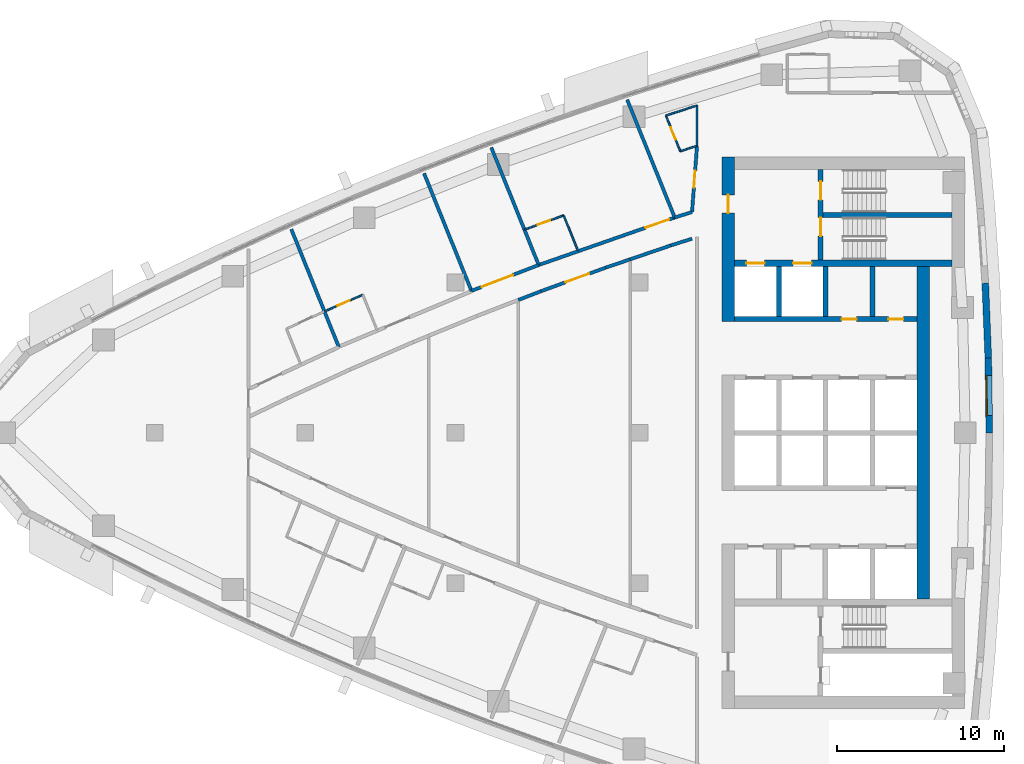
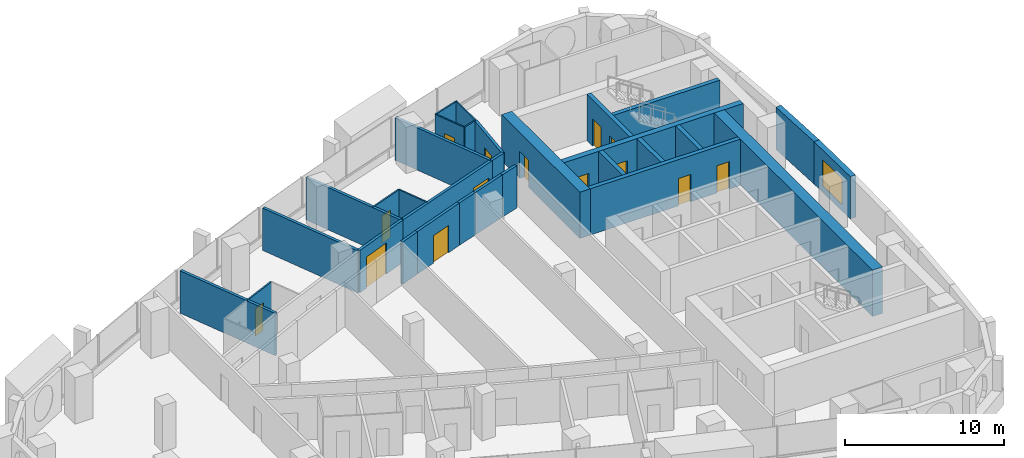
# One storey, part 12 of 17: 31 walls, 14 doors, 1 window, 15 openings.
"""IFC4 building model written with IfcOpenShell, lengths in metres."""

from ifc_helpers import new_model, si_unit, direction, frame, frame_2d, origin, place, context, subcontext, project, spatial, polyline, rectangle, outline, extrude, material, layer, layer_set, type_object, element, fill, save


model = new_model("IFC4")

# Units and contexts
model_context = context("Model", 3, precision=1e-05, world=origin(), true_north=direction((0.0, 1.0)))
body_context = subcontext(model_context, "Body", "Model", "MODEL_VIEW")
ifc_project = project(units=[si_unit("LENGTHUNIT", "METRE"), si_unit("AREAUNIT", "SQUARE_METRE"), si_unit("VOLUMEUNIT", "CUBIC_METRE"), si_unit("PLANEANGLEUNIT", "RADIAN"), si_unit("MASSUNIT", "GRAM", prefix="KILO")], contexts=[model_context])

# Site, building, storey
site_placement = place(None, origin())
site = spatial("IfcSite", under=ifc_project, at=site_placement, CompositionType="ELEMENT")
building_placement = place(site_placement, origin())
building = spatial("IfcBuilding", under=site, at=building_placement, Name="Ostrand Prow Hotel Tower", CompositionType="ELEMENT")
storey_placement = place(building_placement, frame((0.0, 0.0, 200.35009765625)))
storey = spatial("IfcBuildingStorey", under=building, at=storey_placement, Name="L50", CompositionType="ELEMENT", Elevation=200.35009765625)

# Wall, openings, doors
ifc_material_1 = material(Name="Concrete C60/75", Category="concrete")
ifc_layer_1 = layer(ifc_material_1, 0.300048828125)
ifc_layer_set_1 = layer_set([ifc_layer_1], Name="Concrete C60/75")
wall_type_1 = type_object("IfcWallType", Name="Core wall 300 C60/75", PredefinedType="SHEAR", material=ifc_layer_set_1)
wall_1_placement = place(storey_placement, frame((50.699951171875, 6.800048828125, 0.0), z_axis=(0.0, 0.0, 1.0), x_axis=(1.0, 0.0, 0.0)))
wall_1 = element("IfcWall", 1, at=wall_1_placement, inside=storey, type_object=wall_type_1, Name="Core wall PW-L2-N", PredefinedType="SHEAR", context=body_context, shape_type="SweptSolid", body=[
    extrude(rectangle(XDim=10.900146484375, YDim=0.300048828125, at=frame_2d((5.4501953125, 0.0))), origin(), (0.0, 0.0, 1.0), 3.5498046875),
])
opening_1_placement = place(wall_1_placement, frame((6.39990234375, 0.0, 0.0)))
opening_1 = element("IfcOpeningElement", 2, at=opening_1_placement, cuts=wall_1, Name="Opening FD2", PredefinedType="OPENING", context=body_context, shape_type="SweptSolid", body=[
    extrude(rectangle(XDim=0.89990234375, YDim=2.10009765625, at=frame_2d((0.449951171875, 1.050048828125))), frame((0.0, 0.159912109375, 0.0), z_axis=(0.0, -1.0, 0.0), x_axis=(1.0, 0.0, 0.0)), (0.0, 0.0, 1.0), 0.320068359375),
])
opening_2_placement = place(wall_1_placement, frame((9.199951171875, 0.0, 0.0)))
opening_2 = element("IfcOpeningElement", 3, at=opening_2_placement, cuts=wall_1, Name="Opening FD2", PredefinedType="OPENING", context=body_context, shape_type="SweptSolid", body=[
    extrude(rectangle(XDim=0.89990234375, YDim=2.10009765625, at=frame_2d((0.449951171875, 1.050048828125))), frame((0.0, 0.159912109375, 0.0), z_axis=(0.0, -1.0, 0.0), x_axis=(1.0, 0.0, 0.0)), (0.0, 0.0, 1.0), 0.320068359375),
])
ifc_material_2 = material(Name="Steel fire door", Category="steel")
door_type_1 = type_object("IfcDoorType", Name="Fire door 900 EI120", OperationType="SINGLE_SWING_LEFT", PredefinedType="DOOR", material=ifc_material_2)
door_1_placement = place(opening_1_placement, origin())
door_1 = element("IfcDoor", 4, at=door_1_placement, inside=storey, type_object=door_type_1, Name="DOOR", OperationType="SINGLE_SWING_LEFT", OverallHeight=2.10009765625, OverallWidth=0.89990234375, PredefinedType="DOOR", context=body_context, shape_type="SweptSolid", body=[
    extrude(rectangle(XDim=0.89990234375, YDim=2.10009765625, at=frame_2d((0.449951171875, 1.050048828125))), frame((0.0, 0.02490234375, 0.0), z_axis=(0.0, -1.0, 0.0), x_axis=(1.0, 0.0, 0.0)), (0.0, 0.0, 1.0), 0.050048828125),
])
fill(opening_1, door_1)
door_2_placement = place(opening_2_placement, origin())
door_2 = element("IfcDoor", 5, at=door_2_placement, inside=storey, type_object=door_type_1, Name="DOOR", OperationType="SINGLE_SWING_LEFT", OverallHeight=2.10009765625, OverallWidth=0.89990234375, PredefinedType="DOOR", context=body_context, shape_type="SweptSolid", body=[
    extrude(rectangle(XDim=0.89990234375, YDim=2.10009765625, at=frame_2d((0.449951171875, 1.050048828125))), frame((0.0, 0.02490234375, 0.0), z_axis=(0.0, -1.0, 0.0), x_axis=(1.0, 0.0, 0.0)), (0.0, 0.0, 1.0), 0.050048828125),
])
fill(opening_2, door_2)

# Walls
for number, where, z_axis, x_axis, name in (
    (6, (53.35009765625, 6.949951171875, 0.0), (0.0, 0.0, 1.0), (0.0, 1.0, 0.0), "Core wall PW-R1-NA"),
    (7, (56.14990234375, 6.949951171875, 0.0), (0.0, 0.0, 1.0), (0.0, 1.0, 0.0), "Core wall PW-R2-NA"),
    (8, (58.949951171875, 6.949951171875, 0.0), (0.0, 0.0, 1.0), (0.0, 1.0, 0.0), "Core wall PW-R3-NA"),
):
    element("IfcWall", number, at=place(storey_placement, frame(where, z_axis=z_axis, x_axis=x_axis)), inside=storey, type_object=wall_type_1, Name=name, PredefinedType="SHEAR", context=body_context, shape_type="SweptSolid", body=[
        extrude(rectangle(XDim=3.0, YDim=0.300048828125, at=frame_2d((1.5, 0.0))), origin(), (0.0, 0.0, 1.0), 3.5498046875),
    ])

# Wall, openings, doors
wall_2_placement = place(storey_placement, frame((55.85009765625, 10.35009765625, 0.0), z_axis=(0.0, 0.0, 1.0), x_axis=(0.0, 1.0, 0.0)))
wall_2 = element("IfcWall", 9, at=wall_2_placement, inside=storey, type_object=wall_type_1, Name="Core wall PW-VN", PredefinedType="SHEAR", context=body_context, shape_type="SweptSolid", body=[
    extrude(rectangle(XDim=5.39990234375, YDim=0.300048828125, at=frame_2d((2.699951171875, 0.0))), origin(), (0.0, 0.0, 1.0), 3.5498046875),
])
opening_3_placement = place(wall_2_placement, frame((1.429931640625, 0.0, 0.0)))
opening_3 = element("IfcOpeningElement", 10, at=opening_3_placement, cuts=wall_2, Name="Opening FD1", PredefinedType="OPENING", context=body_context, shape_type="SweptSolid", body=[
    extrude(rectangle(XDim=1.10009765625, YDim=2.10009765625, at=frame_2d((0.550048828125, 1.050048828125))), frame((0.0, 0.159912109375, 0.0), z_axis=(0.0, -1.0, 0.0), x_axis=(1.0, 0.0, 0.0)), (0.0, 0.0, 1.0), 0.320068359375),
])
opening_4_placement = place(wall_2_placement, frame((3.60009765625, 0.0, 0.0)))
opening_4 = element("IfcOpeningElement", 11, at=opening_4_placement, cuts=wall_2, Name="Opening FD1", PredefinedType="OPENING", context=body_context, shape_type="SweptSolid", body=[
    extrude(rectangle(XDim=1.10009765625, YDim=2.10009765625, at=frame_2d((0.550048828125, 1.050048828125))), frame((0.0, 0.159912109375, 0.0), z_axis=(0.0, -1.0, 0.0), x_axis=(1.0, 0.0, 0.0)), (0.0, 0.0, 1.0), 0.320068359375),
])
ifc_material_3 = material(Name="Steel fire door", Category="steel")
door_type_2 = type_object("IfcDoorType", Name="Fire door 1100 EI120", OperationType="SINGLE_SWING_RIGHT", PredefinedType="DOOR", material=ifc_material_3)
door_3_placement = place(opening_3_placement, origin())
door_3 = element("IfcDoor", 12, at=door_3_placement, inside=storey, type_object=door_type_2, Name="FIRE DOOR", OperationType="SINGLE_SWING_RIGHT", OverallHeight=2.10009765625, OverallWidth=1.10009765625, PredefinedType="DOOR", context=body_context, shape_type="SweptSolid", body=[
    extrude(rectangle(XDim=1.10009765625, YDim=2.10009765625, at=frame_2d((0.550048828125, 1.050048828125))), frame((0.0, 0.02490234375, 0.0), z_axis=(0.0, -1.0, 0.0), x_axis=(1.0, 0.0, 0.0)), (0.0, 0.0, 1.0), 0.050048828125),
])
fill(opening_3, door_3)
door_4_placement = place(opening_4_placement, origin())
door_4 = element("IfcDoor", 13, at=door_4_placement, inside=storey, type_object=door_type_2, Name="FIRE DOOR", OperationType="SINGLE_SWING_RIGHT", OverallHeight=2.10009765625, OverallWidth=1.10009765625, PredefinedType="DOOR", context=body_context, shape_type="SweptSolid", body=[
    extrude(rectangle(XDim=1.10009765625, YDim=2.10009765625, at=frame_2d((0.550048828125, 1.050048828125))), frame((0.0, 0.02490234375, 0.0), z_axis=(0.0, -1.0, 0.0), x_axis=(1.0, 0.0, 0.0)), (0.0, 0.0, 1.0), 0.050048828125),
])
fill(opening_4, door_4)

# Wall
wall_3_placement = place(storey_placement, frame((56.0, 13.050048828125, 0.0), z_axis=(0.0, 0.0, 1.0), x_axis=(1.0, 0.0, 0.0)))
element("IfcWall", 14, at=wall_3_placement, inside=storey, type_object=wall_type_1, Name="Core wall PW-ST13", PredefinedType="SHEAR", context=body_context, shape_type="SweptSolid", body=[
    extrude(rectangle(XDim=7.719970703125, YDim=0.300048828125, at=frame_2d((3.85986328125, 0.0))), origin(), (0.0, 0.0, 1.0), 3.5498046875),
])

# Wall, openings, doors
ifc_material_4 = material(Name="Concrete C60/75", Category="concrete")
ifc_layer_2 = layer(ifc_material_4, 0.39990234375)
ifc_layer_set_2 = layer_set([ifc_layer_2], Name="Concrete C60/75")
wall_type_2 = type_object("IfcWallType", Name="Core wall 400 C60/75", PredefinedType="SHEAR", material=ifc_layer_set_2)
wall_4_placement = place(storey_placement, frame((50.699951171875, 10.14990234375, 0.0), z_axis=(0.0, 0.0, 1.0), x_axis=(1.0, 0.0, 0.0)))
wall_4 = element("IfcWall", 15, at=wall_4_placement, inside=storey, type_object=wall_type_2, Name="Core wall PW-BN", PredefinedType="SHEAR", context=body_context, shape_type="SweptSolid", body=[
    extrude(rectangle(XDim=13.02001953125, YDim=0.39990234375, at=frame_2d((6.510009765625, 0.0))), origin(), (0.0, 0.0, 1.0), 3.5498046875),
])
opening_5_placement = place(wall_4_placement, frame((0.699951171875, 0.0, 0.0)))
opening_5 = element("IfcOpeningElement", 16, at=opening_5_placement, cuts=wall_4, Name="Opening LD", PredefinedType="OPENING", context=body_context, shape_type="SweptSolid", body=[
    extrude(rectangle(XDim=1.10009765625, YDim=2.10009765625, at=frame_2d((0.550048828125, 1.050048828125))), frame((0.0, 0.2099609375, 0.0), z_axis=(0.0, -1.0, 0.0), x_axis=(1.0, 0.0, 0.0)), (0.0, 0.0, 1.0), 0.419921875),
])
opening_6_placement = place(wall_4_placement, frame((3.5, 0.0, 0.0)))
opening_6 = element("IfcOpeningElement", 17, at=opening_6_placement, cuts=wall_4, Name="Opening LD", PredefinedType="OPENING", context=body_context, shape_type="SweptSolid", body=[
    extrude(rectangle(XDim=1.10009765625, YDim=2.10009765625, at=frame_2d((0.550048828125, 1.050048828125))), frame((0.0, 0.2099609375, 0.0), z_axis=(0.0, -1.0, 0.0), x_axis=(1.0, 0.0, 0.0)), (0.0, 0.0, 1.0), 0.419921875),
])
ifc_material_5 = material(Name="Stainless steel door", Category="steel")
door_type_3 = type_object("IfcDoorType", Name="Lift landing door 1100", OperationType="DOUBLE_DOOR_SLIDING", PredefinedType="DOOR", material=ifc_material_5)
door_5_placement = place(opening_5_placement, origin())
door_5 = element("IfcDoor", 18, at=door_5_placement, inside=storey, type_object=door_type_3, Name="LIFT LANDING DOOR", OperationType="DOUBLE_DOOR_SLIDING", OverallHeight=2.10009765625, OverallWidth=1.10009765625, PredefinedType="DOOR", context=body_context, shape_type="SweptSolid", body=[
    extrude(rectangle(XDim=1.10009765625, YDim=2.10009765625, at=frame_2d((0.550048828125, 1.050048828125))), frame((0.0, 0.02490234375, 0.0), z_axis=(0.0, -1.0, 0.0), x_axis=(1.0, 0.0, 0.0)), (0.0, 0.0, 1.0), 0.050048828125),
])
fill(opening_5, door_5)
door_6_placement = place(opening_6_placement, origin())
door_6 = element("IfcDoor", 19, at=door_6_placement, inside=storey, type_object=door_type_3, Name="LIFT LANDING DOOR", OperationType="DOUBLE_DOOR_SLIDING", OverallHeight=2.10009765625, OverallWidth=1.10009765625, PredefinedType="DOOR", context=body_context, shape_type="SweptSolid", body=[
    extrude(rectangle(XDim=1.10009765625, YDim=2.10009765625, at=frame_2d((0.550048828125, 1.050048828125))), frame((0.0, 0.02490234375, 0.0), z_axis=(0.0, -1.0, 0.0), x_axis=(1.0, 0.0, 0.0)), (0.0, 0.0, 1.0), 0.050048828125),
])
fill(opening_6, door_6)

# Wall, opening, door
ifc_material_6 = material(Name="Concrete C60/75", Category="concrete")
ifc_layer_3 = layer(ifc_material_6, 0.75)
ifc_layer_set_3 = layer_set([ifc_layer_3], Name="Concrete C60/75")
wall_type_3 = type_object("IfcWallType", Name="Core wall 750 C60/75", PredefinedType="SHEAR", material=ifc_layer_set_3)
wall_5_placement = place(storey_placement, frame((50.324951171875, 6.64990234375, 0.0), z_axis=(0.0, 0.0, 1.0), x_axis=(0.0, 1.0, 0.0)))
wall_5 = element("IfcWall", 20, at=wall_5_placement, inside=storey, type_object=wall_type_3, Name="Core wall CW-W-N", PredefinedType="SHEAR", context=body_context, shape_type="SweptSolid", body=[
    extrude(rectangle(XDim=9.85009765625, YDim=0.75, at=frame_2d((4.925048828125, 0.0))), origin(), (0.0, 0.0, 1.0), 3.5498046875),
])
opening_7_placement = place(wall_5_placement, frame((6.5, 0.0, 0.0)))
opening_7 = element("IfcOpeningElement", 21, at=opening_7_placement, cuts=wall_5, Name="Opening FD1", PredefinedType="OPENING", context=body_context, shape_type="SweptSolid", body=[
    extrude(rectangle(XDim=1.10009765625, YDim=2.10009765625, at=frame_2d((0.550048828125, 1.050048828125))), frame((0.0, 0.385009765625, 0.0), z_axis=(0.0, -1.0, 0.0), x_axis=(1.0, 0.0, 0.0)), (0.0, 0.0, 1.0), 0.77001953125),
])
door_7_placement = place(opening_7_placement, origin())
door_7 = element("IfcDoor", 22, at=door_7_placement, inside=storey, type_object=door_type_2, Name="FIRE DOOR", OperationType="SINGLE_SWING_RIGHT", OverallHeight=2.10009765625, OverallWidth=1.10009765625, PredefinedType="DOOR", context=body_context, shape_type="SweptSolid", body=[
    extrude(rectangle(XDim=1.10009765625, YDim=2.10009765625, at=frame_2d((0.550048828125, 1.050048828125))), frame((0.0, 0.02490234375, 0.0), z_axis=(0.0, -1.0, 0.0), x_axis=(1.0, 0.0, 0.0)), (0.0, 0.0, 1.0), 0.050048828125),
])
fill(opening_7, door_7)

# Wall
wall_6_placement = place(storey_placement, frame((61.97509765625, -9.949951171875, 0.0), z_axis=(0.0, 0.0, 1.0), x_axis=(0.0, 1.0, 0.0)))
element("IfcWall", 23, at=wall_6_placement, inside=storey, type_object=wall_type_3, Name="Core wall CW-E-C", PredefinedType="SHEAR", context=body_context, shape_type="SweptSolid", body=[
    extrude(rectangle(XDim=19.89990234375, YDim=0.75, at=frame_2d((9.949951171875, 0.0))), origin(), (0.0, 0.0, 1.0), 3.5498046875),
])

# Wall, opening, door
ifc_material_7 = material(Name="Plasterboard partition")
ifc_layer_4 = layer(ifc_material_7, 0.10009765625)
ifc_layer_set_4 = layer_set([ifc_layer_4], Name="Plasterboard partition")
wall_type_4 = type_object("IfcWallType", Name="Partition 100 bathroom wall", PredefinedType="PARTITIONING", material=ifc_layer_set_4)
wall_7_placement = place(storey_placement, frame((26.15087890625, 7.26806640625, 0.0), z_axis=(0.0, 0.0, 1.0), x_axis=(0.917378641232, 0.398015613526, 0.0)))
wall_7 = element("IfcWall", 24, at=wall_7_placement, inside=storey, type_object=wall_type_4, Name="BATHROOM WALL", PredefinedType="PARTITIONING", context=body_context, shape_type="SweptSolid", body=[
    extrude(rectangle(XDim=2.500732421875, YDim=0.10009765625, at=frame_2d((1.25048828125, 0.0))), origin(), (0.0, 0.0, 1.0), 3.25),
])
opening_8_placement = place(wall_7_placement, frame((0.85009765625, 0.0, 0.0)))
opening_8 = element("IfcOpeningElement", 25, at=opening_8_placement, cuts=wall_7, Name="Opening D2", PredefinedType="OPENING", context=body_context, shape_type="SweptSolid", body=[
    extrude(rectangle(XDim=0.800048828125, YDim=2.10009765625, at=frame_2d((0.39990234375, 1.050048828125))), frame((0.0, 0.06005859375, 0.0), z_axis=(0.0, -1.0, 0.0), x_axis=(1.0, 0.0, 0.0)), (0.0, 0.0, 1.0), 0.1201171875),
])
ifc_material_8 = material(Name="Timber door leaf", Category="wood")
door_type_4 = type_object("IfcDoorType", Name="Bathroom door 800", OperationType="SINGLE_SWING_LEFT", PredefinedType="DOOR", material=ifc_material_8)
door_8_placement = place(opening_8_placement, origin())
door_8 = element("IfcDoor", 26, at=door_8_placement, inside=storey, type_object=door_type_4, Name="DOOR", OperationType="SINGLE_SWING_LEFT", OverallHeight=2.10009765625, OverallWidth=0.800048828125, PredefinedType="DOOR", context=body_context, shape_type="SweptSolid", body=[
    extrude(rectangle(XDim=0.800048828125, YDim=2.10009765625, at=frame_2d((0.39990234375, 1.050048828125))), frame((0.0, 0.02490234375, 0.0), z_axis=(0.0, -1.0, 0.0), x_axis=(1.0, 0.0, 0.0)), (0.0, 0.0, 1.0), 0.050048828125),
])
fill(opening_8, door_8)

wall_8_placement = place(storey_placement, frame((38.119384765625, 12.160888671875, 0.0), z_axis=(0.0, 0.0, 1.0), x_axis=(0.939744972593, 0.341876273652, 0.0)))
wall_8 = element("IfcWall", 27, at=wall_8_placement, inside=storey, type_object=wall_type_4, Name="BATHROOM WALL", PredefinedType="PARTITIONING", context=body_context, shape_type="SweptSolid", body=[
    extrude(rectangle(XDim=2.50146484375, YDim=0.10009765625, at=frame_2d((1.250732421875, 0.0))), origin(), (0.0, 0.0, 1.0), 3.25),
])
opening_9_placement = place(wall_8_placement, frame((0.85009765625, 0.0, 0.0)))
opening_9 = element("IfcOpeningElement", 28, at=opening_9_placement, cuts=wall_8, Name="Opening D2", PredefinedType="OPENING", context=body_context, shape_type="SweptSolid", body=[
    extrude(rectangle(XDim=0.800048828125, YDim=2.10009765625, at=frame_2d((0.39990234375, 1.050048828125))), frame((0.0, 0.06005859375, 0.0), z_axis=(0.0, -1.0, 0.0), x_axis=(1.0, 0.0, 0.0)), (0.0, 0.0, 1.0), 0.1201171875),
])
door_9_placement = place(opening_9_placement, origin())
door_9 = element("IfcDoor", 29, at=door_9_placement, inside=storey, type_object=door_type_4, Name="DOOR", OperationType="SINGLE_SWING_LEFT", OverallHeight=2.10009765625, OverallWidth=0.800048828125, PredefinedType="DOOR", context=body_context, shape_type="SweptSolid", body=[
    extrude(rectangle(XDim=0.800048828125, YDim=2.10009765625, at=frame_2d((0.39990234375, 1.050048828125))), frame((0.0, 0.02490234375, 0.0), z_axis=(0.0, -1.0, 0.0), x_axis=(1.0, 0.0, 0.0)), (0.0, 0.0, 1.0), 0.050048828125),
])
fill(opening_9, door_9)

# Walls
wall_9_placement = place(storey_placement, frame((40.47021484375, 13.01611328125, 0.0), z_axis=(0.0, 0.0, 1.0), x_axis=(0.373846436826, -0.927490615409, 0.0)))
element("IfcWall", 30, at=wall_9_placement, inside=storey, type_object=wall_type_4, Name="BATHROOM WALL", PredefinedType="PARTITIONING", context=body_context, shape_type="SweptSolid", body=[
    extrude(rectangle(XDim=2.278564453125, YDim=0.10009765625, at=frame_2d((1.13916015625, 0.0))), origin(), (0.0, 0.0, 1.0), 3.25),
])
wall_10_placement = place(storey_placement, frame((46.586181640625, 18.994384765625, 0.0), z_axis=(0.0, 0.0, 1.0), x_axis=(0.952696570315, 0.303923090451, 0.0)))
element("IfcWall", 31, at=wall_10_placement, inside=storey, type_object=wall_type_4, Name="BATHROOM WALL", PredefinedType="PARTITIONING", context=body_context, shape_type="SweptSolid", body=[
    extrude(rectangle(XDim=1.9326171875, YDim=0.10009765625, at=frame_2d((0.96630859375, 0.0))), origin(), (0.0, 0.0, 1.0), 3.25),
])
wall_11_placement = place(storey_placement, frame((48.426513671875, 17.167236328125, 0.0), z_axis=(0.0, 0.0, 1.0), x_axis=(-0.952763220029, -0.303714086864, 0.0)))
element("IfcWall", 32, at=wall_11_placement, inside=storey, type_object=wall_type_4, Name="BATHROOM WALL", PredefinedType="PARTITIONING", context=body_context, shape_type="SweptSolid", body=[
    extrude(rectangle(XDim=1.026611328125, YDim=0.10009765625, at=frame_2d((0.51318359375, 0.0))), origin(), (0.0, 0.0, 1.0), 3.25),
])

# Wall, opening, door
wall_12_placement = place(storey_placement, frame((47.4482421875, 16.85546875, 0.0), z_axis=(0.0, 0.0, 1.0), x_axis=(-0.373817051068, 0.927502459474, 0.0)))
wall_12 = element("IfcWall", 33, at=wall_12_placement, inside=storey, type_object=wall_type_4, Name="BATHROOM WALL", PredefinedType="PARTITIONING", context=body_context, shape_type="SweptSolid", body=[
    extrude(rectangle(XDim=2.30615234375, YDim=0.10009765625, at=frame_2d((1.153076171875, 0.0))), origin(), (0.0, 0.0, 1.0), 3.25),
])
opening_10_placement = place(wall_12_placement, frame((0.75, 0.0, 0.0)))
opening_10 = element("IfcOpeningElement", 34, at=opening_10_placement, cuts=wall_12, Name="Opening D2", PredefinedType="OPENING", context=body_context, shape_type="SweptSolid", body=[
    extrude(rectangle(XDim=0.800048828125, YDim=2.10009765625, at=frame_2d((0.39990234375, 1.050048828125))), frame((0.0, 0.06005859375, 0.0), z_axis=(0.0, -1.0, 0.0), x_axis=(1.0, 0.0, 0.0)), (0.0, 0.0, 1.0), 0.1201171875),
])
door_10_placement = place(opening_10_placement, origin())
door_10 = element("IfcDoor", 35, at=door_10_placement, inside=storey, type_object=door_type_4, Name="DOOR", OperationType="SINGLE_SWING_LEFT", OverallHeight=2.10009765625, OverallWidth=0.800048828125, PredefinedType="DOOR", context=body_context, shape_type="SweptSolid", body=[
    extrude(rectangle(XDim=0.800048828125, YDim=2.10009765625, at=frame_2d((0.39990234375, 1.050048828125))), frame((0.0, 0.02490234375, 0.0), z_axis=(0.0, -1.0, 0.0), x_axis=(1.0, 0.0, 0.0)), (0.0, 0.0, 1.0), 0.050048828125),
])
fill(opening_10, door_10)

# Wall
wall_13_placement = place(storey_placement, frame((48.445068359375, 19.603271484375, 0.0), z_axis=(0.0, 0.0, 1.0), x_axis=(0.0, -1.0, 0.0)))
element("IfcWall", 36, at=wall_13_placement, inside=storey, type_object=wall_type_4, Name="BATHROOM WALL", PredefinedType="PARTITIONING", context=body_context, shape_type="SweptSolid", body=[
    extrude(rectangle(XDim=2.458740234375, YDim=0.10009765625, at=frame_2d((1.2294921875, 0.0))), origin(), (0.0, 0.0, 1.0), 3.25),
])

# Wall, opening, door
ifc_material_9 = material(Name="Plasterboard partition")
ifc_layer_5 = layer(ifc_material_9, 0.199951171875)
ifc_layer_set_5 = layer_set([ifc_layer_5], Name="Plasterboard partition")
wall_type_5 = type_object("IfcWallType", Name="Partition 200 corridor wall", PredefinedType="PARTITIONING", material=ifc_layer_set_5)
wall_14_placement = place(storey_placement, frame((38.972412109375, 10.044921875, 0.0), z_axis=(0.0, 0.0, 1.0), x_axis=(-0.93335728106, -0.358948723208, 0.0)))
wall_14 = element("IfcWall", 37, at=wall_14_placement, inside=storey, type_object=wall_type_5, Name="CORRIDOR WALL", PredefinedType="PARTITIONING", context=body_context, shape_type="SweptSolid", body=[
    extrude(rectangle(XDim=4.3115234375, YDim=0.199951171875, at=frame_2d((2.15576171875, 0.0))), origin(), (0.0, 0.0, 1.0), 3.25),
])
opening_11_placement = place(wall_14_placement, frame((1.65576171875, 0.0, 0.0)))
opening_11 = element("IfcOpeningElement", 38, at=opening_11_placement, cuts=wall_14, Name="Opening D20", PredefinedType="OPENING", context=body_context, shape_type="SweptSolid", body=[
    extrude(rectangle(XDim=2.0, YDim=2.39990234375, at=frame_2d((1.0, 1.199951171875))), frame((0.0, 0.10986328125, 0.0), z_axis=(0.0, -1.0, 0.0), x_axis=(1.0, 0.0, 0.0)), (0.0, 0.0, 1.0), 0.219970703125),
])
ifc_material_10 = material(Name="Timber door leaf", Category="wood")
door_type_5 = type_object("IfcDoorType", Name="Double door 2000", OperationType="DOUBLE_DOOR_SINGLE_SWING", PredefinedType="DOOR", material=ifc_material_10)
door_11_placement = place(opening_11_placement, origin())
door_11 = element("IfcDoor", 39, at=door_11_placement, inside=storey, type_object=door_type_5, Name="DOOR", OperationType="DOUBLE_DOOR_SINGLE_SWING", OverallHeight=2.39990234375, OverallWidth=2.0, PredefinedType="DOOR", context=body_context, shape_type="SweptSolid", body=[
    extrude(rectangle(XDim=2.0, YDim=2.39990234375, at=frame_2d((1.0, 1.199951171875))), frame((0.0, 0.02490234375, 0.0), z_axis=(0.0, -1.0, 0.0), x_axis=(1.0, 0.0, 0.0)), (0.0, 0.0, 1.0), 0.050048828125),
])
fill(opening_11, door_11)

wall_15_placement = place(storey_placement, frame((47.11328125, 12.885986328125, 0.0), z_axis=(0.0, 0.0, 1.0), x_axis=(-0.944155939639, -0.329498955453, 0.0)))
wall_15 = element("IfcWall", 40, at=wall_15_placement, inside=storey, type_object=wall_type_5, Name="CORRIDOR WALL", PredefinedType="PARTITIONING", context=body_context, shape_type="SweptSolid", body=[
    extrude(rectangle(XDim=8.622314453125, YDim=0.199951171875, at=frame_2d((4.31103515625, 0.0))), origin(), (0.0, 0.0, 1.0), 3.25),
])
opening_12_placement = place(wall_15_placement, frame((0.35009765625, 0.0, 0.0)))
opening_12 = element("IfcOpeningElement", 41, at=opening_12_placement, cuts=wall_15, Name="Opening D15", PredefinedType="OPENING", context=body_context, shape_type="SweptSolid", body=[
    extrude(rectangle(XDim=1.5, YDim=2.10009765625, at=frame_2d((0.75, 1.050048828125))), frame((0.0, 0.10986328125, 0.0), z_axis=(0.0, -1.0, 0.0), x_axis=(1.0, 0.0, 0.0)), (0.0, 0.0, 1.0), 0.219970703125),
])
ifc_material_11 = material(Name="Timber door leaf", Category="wood")
door_type_6 = type_object("IfcDoorType", Name="Double door 1500", OperationType="DOUBLE_DOOR_SINGLE_SWING", PredefinedType="DOOR", material=ifc_material_11)
door_12_placement = place(opening_12_placement, origin())
door_12 = element("IfcDoor", 42, at=door_12_placement, inside=storey, type_object=door_type_6, Name="DOOR", OperationType="DOUBLE_DOOR_SINGLE_SWING", OverallHeight=2.10009765625, OverallWidth=1.5, PredefinedType="DOOR", context=body_context, shape_type="SweptSolid", body=[
    extrude(rectangle(XDim=1.5, YDim=2.10009765625, at=frame_2d((0.75, 1.050048828125))), frame((0.0, 0.02490234375, 0.0), z_axis=(0.0, -1.0, 0.0), x_axis=(1.0, 0.0, 0.0)), (0.0, 0.0, 1.0), 0.050048828125),
])
fill(opening_12, door_12)

wall_16_placement = place(storey_placement, frame((39.115478515625, 8.4794921875, 0.0), z_axis=(0.0, 0.0, 1.0), x_axis=(0.939727613335, 0.341923986779, 0.0)))
wall_16 = element("IfcWall", 43, at=wall_16_placement, inside=storey, type_object=wall_type_5, Name="CORRIDOR WALL", PredefinedType="PARTITIONING", context=body_context, shape_type="SweptSolid", body=[
    extrude(rectangle(XDim=4.116943359375, YDim=0.199951171875, at=frame_2d((2.05859375, 0.0))), origin(), (0.0, 0.0, 1.0), 3.25),
])
opening_13_placement = place(wall_16_placement, frame((1.55859375, 0.0, 0.0)))
opening_13 = element("IfcOpeningElement", 44, at=opening_13_placement, cuts=wall_16, Name="Opening D15", PredefinedType="OPENING", context=body_context, shape_type="SweptSolid", body=[
    extrude(rectangle(XDim=1.5, YDim=2.10009765625, at=frame_2d((0.75, 1.050048828125))), frame((0.0, 0.10986328125, 0.0), z_axis=(0.0, -1.0, 0.0), x_axis=(1.0, 0.0, 0.0)), (0.0, 0.0, 1.0), 0.219970703125),
])
door_13_placement = place(opening_13_placement, origin())
door_13 = element("IfcDoor", 45, at=door_13_placement, inside=storey, type_object=door_type_6, Name="DOOR", OperationType="DOUBLE_DOOR_SINGLE_SWING", OverallHeight=2.10009765625, OverallWidth=1.5, PredefinedType="DOOR", context=body_context, shape_type="SweptSolid", body=[
    extrude(rectangle(XDim=1.5, YDim=2.10009765625, at=frame_2d((0.75, 1.050048828125))), frame((0.0, 0.02490234375, 0.0), z_axis=(0.0, -1.0, 0.0), x_axis=(1.0, 0.0, 0.0)), (0.0, 0.0, 1.0), 0.050048828125),
])
fill(opening_13, door_13)

# Walls
wall_17_placement = place(storey_placement, frame((42.984375, 9.88720703125, 0.0), z_axis=(0.0, 0.0, 1.0), x_axis=(0.946450589454, 0.32284869788, 0.0)))
element("IfcWall", 46, at=wall_17_placement, inside=storey, type_object=wall_type_5, Name="CORRIDOR WALL", PredefinedType="PARTITIONING", context=body_context, shape_type="SweptSolid", body=[
    extrude(rectangle(XDim=1.535888671875, YDim=0.199951171875, at=frame_2d((0.76806640625, 0.0))), origin(), (0.0, 0.0, 1.0), 3.25),
])
wall_18_placement = place(storey_placement, frame((37.751708984375, 7.951904296875, 0.0), z_axis=(0.0, 0.0, 1.0), x_axis=(0.932642417559, 0.360802052335, 0.0)))
element("IfcWall", 47, at=wall_18_placement, inside=storey, type_object=wall_type_5, Name="CORRIDOR WALL", PredefinedType="PARTITIONING", context=body_context, shape_type="SweptSolid", body=[
    extrude(rectangle(XDim=1.462158203125, YDim=0.199951171875, at=frame_2d((0.73095703125, 0.0))), origin(), (0.0, 0.0, 1.0), 3.25),
])
wall_19_placement = place(storey_placement, frame((44.43798828125, 10.383056640625, 0.0), z_axis=(0.0, 0.0, 1.0), x_axis=(0.946427432629, 0.322916575554, 0.0)))
element("IfcWall", 48, at=wall_19_placement, inside=storey, type_object=wall_type_5, Name="CORRIDOR WALL", PredefinedType="PARTITIONING", context=body_context, shape_type="SweptSolid", body=[
    extrude(rectangle(XDim=2.5810546875, YDim=0.199951171875, at=frame_2d((1.29052734375, 0.0))), origin(), (0.0, 0.0, 1.0), 3.25),
])
wall_20_placement = place(storey_placement, frame((48.14990234375, 13.216552734375, 0.0), z_axis=(0.0, 0.0, 1.0), x_axis=(-0.952731090451, -0.303814860215, 0.0)))
element("IfcWall", 49, at=wall_20_placement, inside=storey, type_object=wall_type_5, Name="CORRIDOR WALL", PredefinedType="PARTITIONING", context=body_context, shape_type="SweptSolid", body=[
    extrude(rectangle(XDim=1.088134765625, YDim=0.199951171875, at=frame_2d((0.5439453125, 0.0))), origin(), (0.0, 0.0, 1.0), 3.25),
])
wall_21_placement = place(storey_placement, frame((46.880859375, 11.216552734375, 0.0), z_axis=(0.0, 0.0, 1.0), x_axis=(0.952761948983, 0.303718074157, 0.0)))
element("IfcWall", 50, at=wall_21_placement, inside=storey, type_object=wall_type_5, Name="CORRIDOR WALL", PredefinedType="PARTITIONING", context=body_context, shape_type="SweptSolid", body=[
    extrude(rectangle(XDim=1.33203125, YDim=0.199951171875, at=frame_2d((0.666015625, 0.0))), origin(), (0.0, 0.0, 1.0), 3.25),
])

# Wall, opening, door
wall_22_placement = place(storey_placement, frame((48.445068359375, 17.14453125, 0.0), z_axis=(0.0, 0.0, 1.0), x_axis=(-0.074933243819, -0.997188552366, 0.0)))
wall_22 = element("IfcWall", 51, at=wall_22_placement, inside=storey, type_object=wall_type_5, Name="CORRIDOR WALL", PredefinedType="PARTITIONING", context=body_context, shape_type="SweptSolid", body=[
    extrude(rectangle(XDim=3.93896484375, YDim=0.199951171875, at=frame_2d((1.969482421875, 0.0))), origin(), (0.0, 0.0, 1.0), 3.25),
])
opening_14_placement = place(wall_22_placement, frame((1.469970703125, 0.0, 0.0)))
opening_14 = element("IfcOpeningElement", 52, at=opening_14_placement, cuts=wall_22, Name="Opening D1R", PredefinedType="OPENING", context=body_context, shape_type="SweptSolid", body=[
    extrude(rectangle(XDim=1.0, YDim=2.10009765625, at=frame_2d((0.5, 1.050048828125))), frame((0.0, 0.10986328125, 0.0), z_axis=(0.0, -1.0, 0.0), x_axis=(1.0, 0.0, 0.0)), (0.0, 0.0, 1.0), 0.219970703125),
])
ifc_material_12 = material(Name="Timber door leaf", Category="wood")
door_type_7 = type_object("IfcDoorType", Name="Guest room door 1000 right", OperationType="SINGLE_SWING_RIGHT", PredefinedType="DOOR", material=ifc_material_12)
door_14_placement = place(opening_14_placement, origin())
door_14 = element("IfcDoor", 53, at=door_14_placement, inside=storey, type_object=door_type_7, Name="DOOR", OperationType="SINGLE_SWING_RIGHT", OverallHeight=2.10009765625, OverallWidth=1.0, PredefinedType="DOOR", context=body_context, shape_type="SweptSolid", body=[
    extrude(rectangle(XDim=1.0, YDim=2.10009765625, at=frame_2d((0.5, 1.050048828125))), frame((0.0, 0.02490234375, 0.0), z_axis=(0.0, -1.0, 0.0), x_axis=(1.0, 0.0, 0.0)), (0.0, 0.0, 1.0), 0.050048828125),
])
fill(opening_14, door_14)

# Walls
ifc_material_13 = material(Name="Plasterboard partition")
ifc_layer_6 = layer(ifc_material_13, 0.199951171875)
ifc_layer_set_6 = layer_set([ifc_layer_6], Name="Plasterboard partition")
wall_type_6 = type_object("IfcWallType", Name="Partition 200 key partition", PredefinedType="PARTITIONING", material=ifc_layer_set_6)
wall_23_placement = place(storey_placement, frame((27.01171875, 5.1328125, 0.0), z_axis=(0.0, 0.0, 1.0), x_axis=(-0.373913547423, 0.927463562116, 0.0)))
element("IfcWall", 54, at=wall_23_placement, inside=storey, type_object=wall_type_6, Name="KEY PARTITION", PredefinedType="PARTITIONING", context=body_context, shape_type="SweptSolid", body=[
    extrude(rectangle(XDim=7.60400390625, YDim=0.199951171875, at=frame_2d((3.802001953125, 0.0))), origin(), (0.0, 0.0, 1.0), 3.25),
])
wall_24_placement = place(storey_placement, frame((34.955810546875, 8.478759765625, 0.0), z_axis=(0.0, 0.0, 1.0), x_axis=(-0.373881438439, 0.927476506436, 0.0)))
element("IfcWall", 55, at=wall_24_placement, inside=storey, type_object=wall_type_6, Name="KEY PARTITION", PredefinedType="PARTITIONING", context=body_context, shape_type="SweptSolid", body=[
    extrude(rectangle(XDim=7.600830078125, YDim=0.199951171875, at=frame_2d((3.80029296875, 0.0))), origin(), (0.0, 0.0, 1.0), 3.25),
])
wall_25_placement = place(storey_placement, frame((38.979736328125, 10.0263671875, 0.0), z_axis=(0.0, 0.0, 1.0), x_axis=(-0.373863662938, 0.927483671843, 0.0)))
element("IfcWall", 56, at=wall_25_placement, inside=storey, type_object=wall_type_6, Name="KEY PARTITION", PredefinedType="PARTITIONING", context=body_context, shape_type="SweptSolid", body=[
    extrude(rectangle(XDim=7.6044921875, YDim=0.199951171875, at=frame_2d((3.80224609375, 0.0))), origin(), (0.0, 0.0, 1.0), 3.25),
])
wall_26_placement = place(storey_placement, frame((47.120849609375, 12.867431640625, 0.0), z_axis=(0.0, 0.0, 1.0), x_axis=(-0.373907892596, 0.92746584188, 0.0)))
element("IfcWall", 57, at=wall_26_placement, inside=storey, type_object=wall_type_6, Name="KEY PARTITION", PredefinedType="PARTITIONING", context=body_context, shape_type="SweptSolid", body=[
    extrude(rectangle(XDim=7.62109375, YDim=0.199951171875, at=frame_2d((3.810546875, 0.0))), origin(), (0.0, 0.0, 1.0), 3.25),
])

# Wall, opening, window
ifc_material_14 = material(Name="Precast concrete C40/50", Category="concrete")
ifc_layer_7 = layer(ifc_material_14, 0.39990234375)
ifc_layer_set_7 = layer_set([ifc_layer_7], Name="Precast concrete C40/50")
wall_type_7 = type_object("IfcWallType", Name="Stone-faced precast wall 400 mm", PredefinedType="NOTDEFINED", material=ifc_layer_set_7)
wall_27_placement = place(storey_placement, frame((65.940185546875, 0.0, 0.0), z_axis=(0.0, 0.0, 1.0), x_axis=(-0.013348854104, 0.999910900078, 0.0)))
wall_27 = element("IfcWall", 58, at=wall_27_placement, inside=storey, type_object=wall_type_7, Name="Stone-faced wall back 9", PredefinedType="NOTDEFINED", context=body_context, shape_type="SweptSolid", body=[
    extrude(outline(polyline([(-0.002685546875, -0.199951171875), (4.483642578125, -0.199951171875), (4.478271484375, 0.199951171875), (0.002685546875, 0.199951171875), (-0.002685546875, -0.199951171875)])), origin(), (0.0, 0.0, 1.0), 3.25),
])
opening_15_placement = place(wall_27_placement, frame((1.040283203125, 0.0, 0.5)))
opening_15 = element("IfcOpeningElement", 59, at=opening_15_placement, cuts=wall_27, Name="Opening WA1", PredefinedType="OPENING", context=body_context, shape_type="SweptSolid", body=[
    extrude(rectangle(XDim=2.39990234375, YDim=2.0, at=frame_2d((1.199951171875, 1.0))), frame((0.0, 0.2099609375, 0.0), z_axis=(0.0, -1.0, 0.0), x_axis=(1.0, 0.0, 0.0)), (0.0, 0.0, 1.0), 0.419921875),
])
ifc_material_15 = material(Name="Insulated glass in bronze frame", Category="glass")
window_type = type_object("IfcWindowType", Name="Amenity picture window 2400x2000", PartitioningType="SINGLE_PANEL", PredefinedType="WINDOW", material=ifc_material_15)
window_placement = place(opening_15_placement, origin())
window = element("IfcWindow", 60, at=window_placement, inside=storey, type_object=window_type, Name="Window back 9.1", OverallHeight=2.0, OverallWidth=2.39990234375, PartitioningType="SINGLE_PANEL", PredefinedType="WINDOW", context=body_context, shape_type="SweptSolid", body=[
    extrude(rectangle(XDim=2.39990234375, YDim=2.0, at=frame_2d((1.199951171875, 1.0))), frame((0.0, 0.169921875, 0.0), z_axis=(0.0, -1.0, 0.0), x_axis=(1.0, 0.0, 0.0)), (0.0, 0.0, 1.0), 0.06005859375),
])
fill(opening_15, window)

# Wall
wall_28_placement = place(storey_placement, frame((65.88037109375, 4.48046875, 0.0), z_axis=(0.0, 0.0, 1.0), x_axis=(-0.040155165338, 0.999193456092, 0.0)))
element("IfcWall", 61, at=wall_28_placement, inside=storey, type_object=wall_type_7, Name="Stone-faced wall back 10", PredefinedType="NOTDEFINED", context=body_context, shape_type="SweptSolid", body=[
    extrude(outline(polyline([(-0.002685546875, -0.199951171875), (4.483642578125, -0.199951171875), (4.478271484375, 0.199951171875), (0.002685546875, 0.199951171875), (-0.002685546875, -0.199951171875)])), origin(), (0.0, 0.0, 1.0), 3.25),
])

save(model, "model.ifc")
